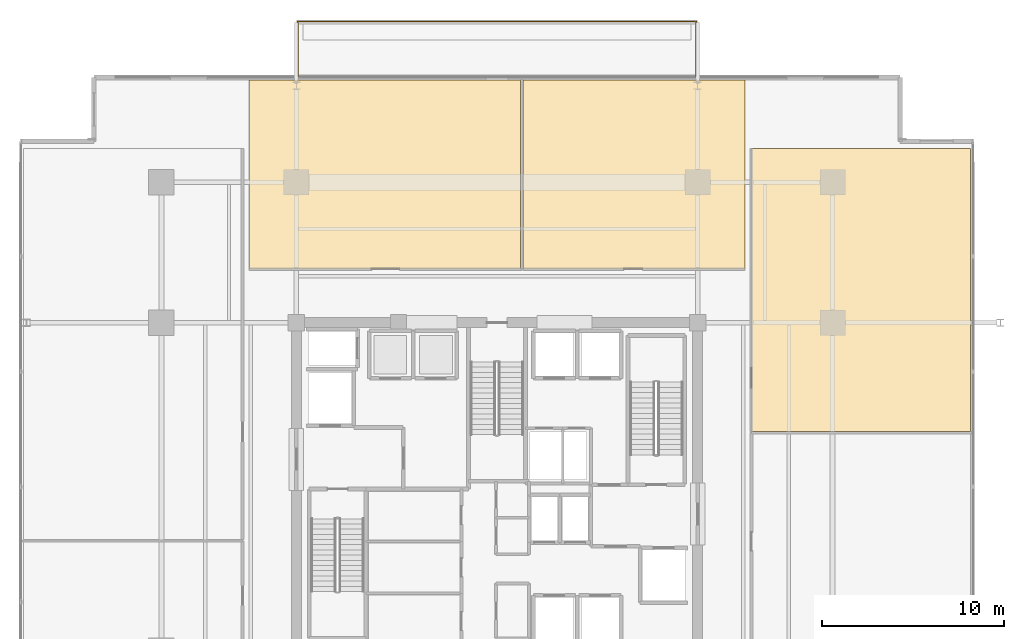
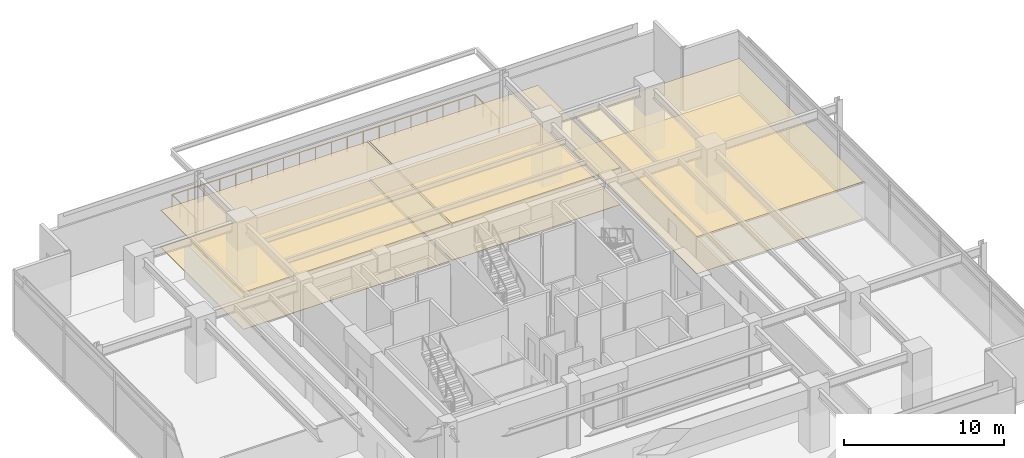
# One storey, part 24 of 25: 6 coverings, 1 railing.
"""IFC4 building model written with IfcOpenShell, lengths in metres."""

from ifc_helpers import new_model, si_unit, direction, frame, origin, origin_2d, place, context, subcontext, project, spatial, polyline, circle, outline, extrude, material, layer, layer_set, type_object, element, save


model = new_model("IFC4")

# Units and contexts
model_context = context("Model", 3, precision=1e-05, world=origin(), true_north=direction((0.0, 1.0)))
body_context = subcontext(model_context, "Body", "Model", "MODEL_VIEW")
ifc_project = project(units=[si_unit("LENGTHUNIT", "METRE"), si_unit("AREAUNIT", "SQUARE_METRE"), si_unit("VOLUMEUNIT", "CUBIC_METRE"), si_unit("PLANEANGLEUNIT", "RADIAN"), si_unit("MASSUNIT", "GRAM", prefix="KILO")], contexts=[model_context])

# Site, building, storey
site_placement = place(None, origin())
site = spatial("IfcSite", under=ifc_project, at=site_placement, CompositionType="ELEMENT")
building_placement = place(site_placement, origin())
building = spatial("IfcBuilding", under=site, at=building_placement, Name="Kovane Verandah Tower", CompositionType="ELEMENT")
storey_placement = place(building_placement, frame((0.0, 0.0, 233.199951171875)))
storey = spatial("IfcBuildingStorey", under=building, at=storey_placement, Name="L54", CompositionType="ELEMENT", Elevation=233.199951171875)

# Coverings
ifc_material_1 = material(Name="Perforated Acoustic Mineral-Fibre Ceiling Tile", Category="gypsum")
ifc_layer_1 = layer(ifc_material_1, 0.02490234375)
ifc_layer_set_1 = layer_set([ifc_layer_1], Name="Perforated Acoustic Mineral-Fibre Ceiling Tile")
covering_type_1 = type_object("IfcCoveringType", Name="CV-CEIL-25", PredefinedType="CEILING", material=ifc_layer_set_1)
covering_1_placement = place(storey_placement, frame((0.0, 0.0, 2.824951171875)))
element("IfcCovering", 1, at=covering_1_placement, inside=storey, type_object=covering_type_1, Name="L54 Sky Lobby Transfer Lounge N1 Acoustic Ceiling", PredefinedType="CEILING", context=body_context, shape_type="SweptSolid", body=[
    extrude(outline(polyline([(26.39990234375, 39.449951171875), (41.2900390625, 39.449951171875), (41.2900390625, 49.799560546875), (26.39990234375, 49.799560546875), (26.39990234375, 39.449951171875)])), origin(), (0.0, 0.0, 1.0), 0.025146484375),
])
covering_2_placement = place(storey_placement, frame((0.0, 0.0, 2.824951171875)))
element("IfcCovering", 2, at=covering_2_placement, inside=storey, type_object=covering_type_1, Name="L54 Focus Studio N2 Acoustic Ceiling", PredefinedType="CEILING", context=body_context, shape_type="SweptSolid", body=[
    extrude(outline(polyline([(41.429931640625, 39.449951171875), (53.60009765625, 39.449951171875), (53.60009765625, 49.799560546875), (41.429931640625, 49.799560546875), (41.429931640625, 39.449951171875)])), origin(), (0.0, 0.0, 1.0), 0.025146484375),
])
covering_3_placement = place(storey_placement, frame((0.0, 0.0, 2.824951171875)))
element("IfcCovering", 3, at=covering_3_placement, inside=storey, type_object=covering_type_1, Name="L54 Executive Office E2 Acoustic Ceiling", PredefinedType="CEILING", context=body_context, shape_type="SweptSolid", body=[
    extrude(outline(polyline([(53.949951171875, 30.537841796875), (65.957275390625, 30.537841796875), (65.957275390625, 46.049560546875), (53.949951171875, 46.049560546875), (53.949951171875, 30.537841796875)])), origin(), (0.0, 0.0, 1.0), 0.025146484375),
])
ifc_material_2 = material(Name="Polished Terrazzo and Raised-Access Carpet Tile Finish", Category="concrete")
ifc_layer_2 = layer(ifc_material_2, 0.030029296875)
ifc_layer_set_2 = layer_set([ifc_layer_2], Name="Polished Terrazzo and Raised-Access Carpet Tile Finish")
covering_type_2 = type_object("IfcCoveringType", Name="CV-FLOR-30", PredefinedType="FLOORING", material=ifc_layer_set_2)
covering_4_placement = place(storey_placement, origin())
element("IfcCovering", 4, at=covering_4_placement, inside=storey, type_object=covering_type_2, Name="L54 Sky Lobby Transfer Lounge N1 Floor Finish", PredefinedType="FLOORING", context=body_context, shape_type="SweptSolid", body=[
    extrude(outline(polyline([(26.39990234375, 39.449951171875), (41.2900390625, 39.449951171875), (41.2900390625, 49.799560546875), (26.39990234375, 49.799560546875), (26.39990234375, 39.449951171875)])), origin(), (0.0, 0.0, 1.0), 0.030029296875),
])
covering_5_placement = place(storey_placement, origin())
element("IfcCovering", 5, at=covering_5_placement, inside=storey, type_object=covering_type_2, Name="L54 Focus Studio N2 Floor Finish", PredefinedType="FLOORING", context=body_context, shape_type="SweptSolid", body=[
    extrude(outline(polyline([(41.429931640625, 39.449951171875), (53.60009765625, 39.449951171875), (53.60009765625, 49.799560546875), (41.429931640625, 49.799560546875), (41.429931640625, 39.449951171875)])), origin(), (0.0, 0.0, 1.0), 0.030029296875),
])
covering_6_placement = place(storey_placement, origin())
element("IfcCovering", 6, at=covering_6_placement, inside=storey, type_object=covering_type_2, Name="L54 Executive Office E2 Floor Finish", PredefinedType="FLOORING", context=body_context, shape_type="SweptSolid", body=[
    extrude(outline(polyline([(53.949951171875, 30.537841796875), (65.957275390625, 30.537841796875), (65.957275390625, 46.049560546875), (53.949951171875, 46.049560546875), (53.949951171875, 30.537841796875)])), origin(), (0.0, 0.0, 1.0), 0.030029296875),
])

# Railing
ifc_material_3 = material(Name="Laminated Glass and Pale-Champagne Stainless Balustrade", Category="glass")
railing_type = type_object("IfcRailingType", Name="RL-BAL-1150", PredefinedType="BALUSTRADE", material=ifc_material_3)
railing_placement = place(storey_placement, frame((29.080078125, 49.99951171875, 0.0)))
element("IfcRailing", 7, at=railing_placement, inside=storey, type_object=railing_type, Name="L54 N Verandah Glass Balustrade", PredefinedType="BALUSTRADE", context=body_context, shape_type="SweptSolid", body=[
    extrude(circle(Radius=0.02392578125, at=origin_2d()), frame((0.0, 0.0, 1.1259765625), z_axis=(0.0, 1.0, 0.0), x_axis=(-1.0, 0.0, 0.0)), (0.0, 0.0, 1.0), 3.02001953125),
    extrude(circle(Radius=0.02392578125, at=origin_2d()), frame((0.0, 3.02001953125, 1.1259765625), z_axis=(1.0, 0.0, 0.0), x_axis=(0.0, 1.0, 0.0)), (0.0, 0.0, 1.0), 21.83984375),
    extrude(circle(Radius=0.02392578125, at=origin_2d()), frame((21.83984375, 3.02001953125, 1.1259765625), z_axis=(0.0, -1.0, 0.0), x_axis=(1.0, 0.0, 0.0)), (0.0, 0.0, 1.0), 3.02001953125),
    extrude(circle(Radius=0.02099609375, at=origin_2d()), origin(), (0.0, 0.0, 1.0), 1.101806640625),
    extrude(circle(Radius=0.02099609375, at=origin_2d()), frame((0.0, 1.006591796875, 0.0)), (0.0, 0.0, 1.0), 1.101806640625),
    extrude(circle(Radius=0.02099609375, at=origin_2d()), frame((0.0, 2.013427734375, 0.0)), (0.0, 0.0, 1.0), 1.101806640625),
    extrude(circle(Radius=0.02099609375, at=origin_2d()), frame((0.0, 3.02001953125, 0.0)), (0.0, 0.0, 1.0), 1.101806640625),
    extrude(circle(Radius=0.02099609375, at=origin_2d()), frame((1.1494140625, 3.02001953125, 0.0)), (0.0, 0.0, 1.0), 1.101806640625),
    extrude(circle(Radius=0.02099609375, at=origin_2d()), frame((2.298828125, 3.02001953125, 0.0)), (0.0, 0.0, 1.0), 1.101806640625),
    extrude(circle(Radius=0.02099609375, at=origin_2d()), frame((3.448486328125, 3.02001953125, 0.0)), (0.0, 0.0, 1.0), 1.101806640625),
    extrude(circle(Radius=0.02099609375, at=origin_2d()), frame((4.597900390625, 3.02001953125, 0.0)), (0.0, 0.0, 1.0), 1.101806640625),
    extrude(circle(Radius=0.02099609375, at=origin_2d()), frame((5.747314453125, 3.02001953125, 0.0)), (0.0, 0.0, 1.0), 1.101806640625),
    extrude(circle(Radius=0.02099609375, at=origin_2d()), frame((6.896728515625, 3.02001953125, 0.0)), (0.0, 0.0, 1.0), 1.101806640625),
    extrude(circle(Radius=0.02099609375, at=origin_2d()), frame((8.046142578125, 3.02001953125, 0.0)), (0.0, 0.0, 1.0), 1.101806640625),
    extrude(circle(Radius=0.02099609375, at=origin_2d()), frame((9.19580078125, 3.02001953125, 0.0)), (0.0, 0.0, 1.0), 1.101806640625),
    extrude(circle(Radius=0.02099609375, at=origin_2d()), frame((10.34521484375, 3.02001953125, 0.0)), (0.0, 0.0, 1.0), 1.101806640625),
    extrude(circle(Radius=0.02099609375, at=origin_2d()), frame((11.49462890625, 3.02001953125, 0.0)), (0.0, 0.0, 1.0), 1.101806640625),
    extrude(circle(Radius=0.02099609375, at=origin_2d()), frame((12.64404296875, 3.02001953125, 0.0)), (0.0, 0.0, 1.0), 1.101806640625),
    extrude(circle(Radius=0.02099609375, at=origin_2d()), frame((13.793701171875, 3.02001953125, 0.0)), (0.0, 0.0, 1.0), 1.101806640625),
    extrude(circle(Radius=0.02099609375, at=origin_2d()), frame((14.943115234375, 3.02001953125, 0.0)), (0.0, 0.0, 1.0), 1.101806640625),
    extrude(circle(Radius=0.02099609375, at=origin_2d()), frame((16.092529296875, 3.02001953125, 0.0)), (0.0, 0.0, 1.0), 1.101806640625),
    extrude(circle(Radius=0.02099609375, at=origin_2d()), frame((17.241943359375, 3.02001953125, 0.0)), (0.0, 0.0, 1.0), 1.101806640625),
    extrude(circle(Radius=0.02099609375, at=origin_2d()), frame((18.391357421875, 3.02001953125, 0.0)), (0.0, 0.0, 1.0), 1.101806640625),
    extrude(circle(Radius=0.02099609375, at=origin_2d()), frame((19.541015625, 3.02001953125, 0.0)), (0.0, 0.0, 1.0), 1.101806640625),
    extrude(circle(Radius=0.02099609375, at=origin_2d()), frame((20.6904296875, 3.02001953125, 0.0)), (0.0, 0.0, 1.0), 1.101806640625),
    extrude(circle(Radius=0.02099609375, at=origin_2d()), frame((21.83984375, 3.02001953125, 0.0)), (0.0, 0.0, 1.0), 1.101806640625),
    extrude(circle(Radius=0.02099609375, at=origin_2d()), frame((21.83984375, 2.013427734375, 0.0)), (0.0, 0.0, 1.0), 1.101806640625),
    extrude(circle(Radius=0.02099609375, at=origin_2d()), frame((21.83984375, 1.006591796875, 0.0)), (0.0, 0.0, 1.0), 1.101806640625),
    extrude(circle(Radius=0.02099609375, at=origin_2d()), frame((21.83984375, 0.0, 0.0)), (0.0, 0.0, 1.0), 1.101806640625),
])

save(model, "model.ifc")
